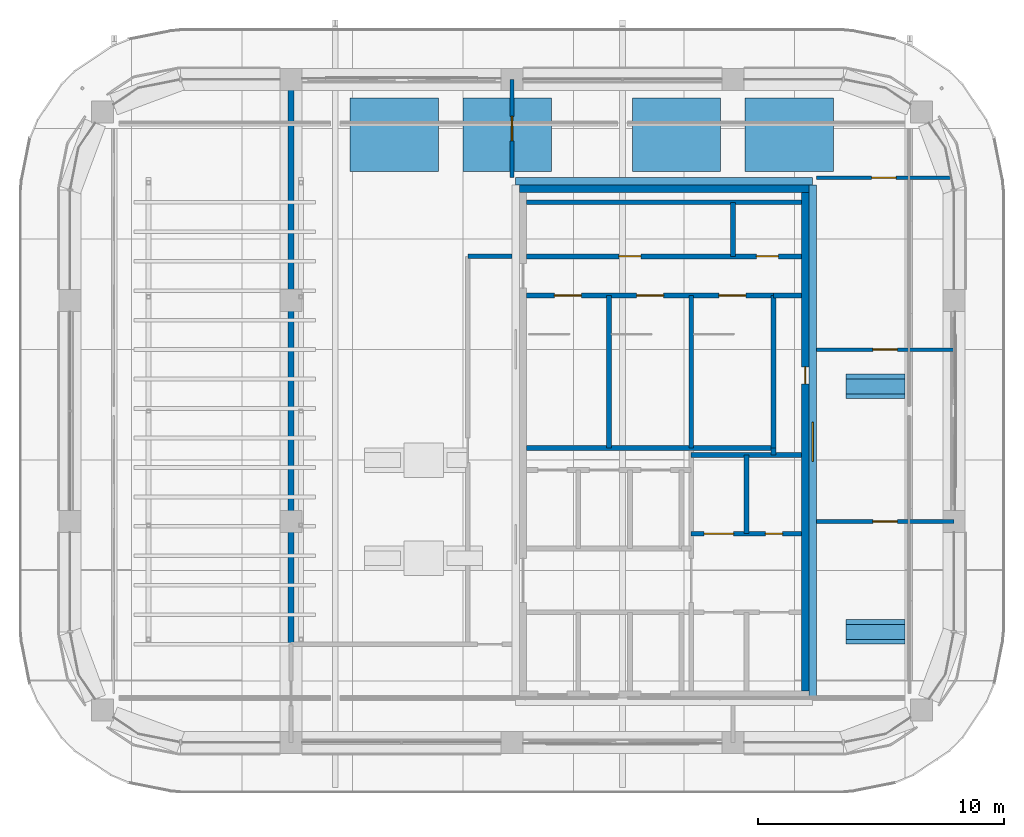
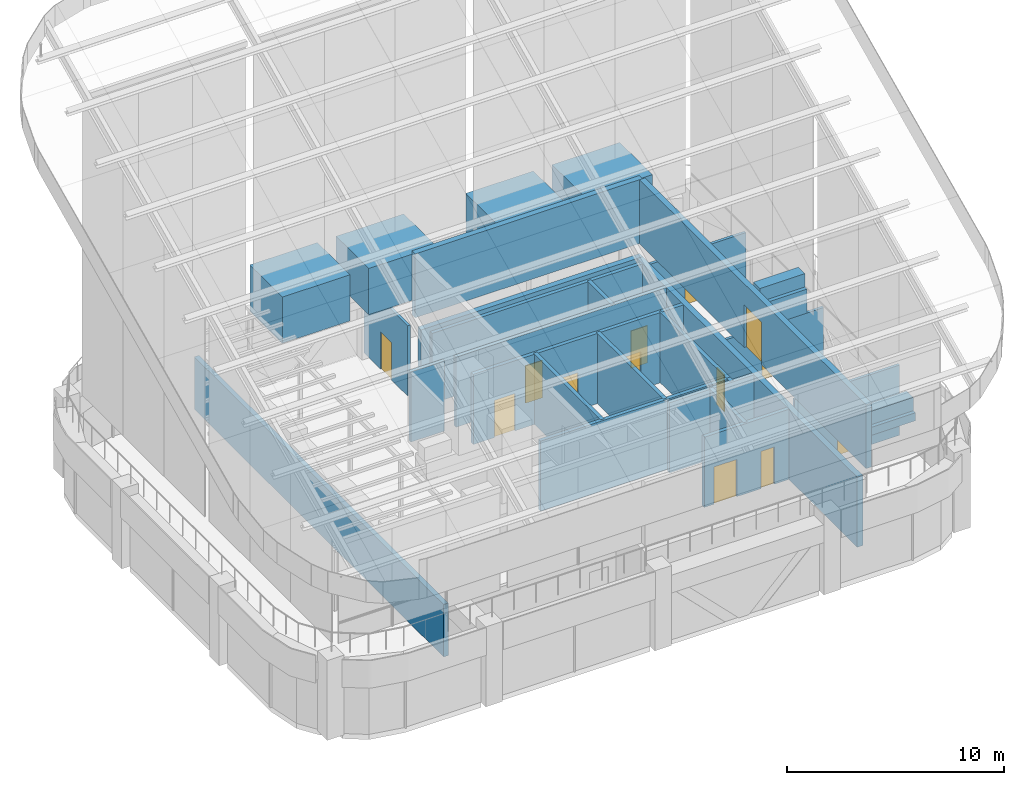
# One storey, part 27 of 31: 31 walls, 13 doors, 13 openings.
"""IFC4 building model written with IfcOpenShell, lengths in metres."""

from ifc_helpers import new_model, si_unit, direction, frame, frame_2d, origin, place, context, subcontext, project, spatial, rectangle, extrude, material, layer, layer_set, type_object, element, fill, save


model = new_model("IFC4")

# Units and contexts
model_context = context("Model", 3, precision=1e-05, world=origin(), true_north=direction((0.0, 1.0)))
body_context = subcontext(model_context, "Body", "Model", "MODEL_VIEW")
ifc_project = project(units=[si_unit("LENGTHUNIT", "METRE"), si_unit("AREAUNIT", "SQUARE_METRE"), si_unit("VOLUMEUNIT", "CUBIC_METRE"), si_unit("PLANEANGLEUNIT", "RADIAN"), si_unit("MASSUNIT", "GRAM", prefix="KILO")], contexts=[model_context])

# Site, building, storey
site_placement = place(None, origin())
site = spatial("IfcSite", under=ifc_project, at=site_placement, CompositionType="ELEMENT")
building_placement = place(site_placement, origin())
building = spatial("IfcBuilding", under=site, at=building_placement, Name="Tessera Arch", CompositionType="ELEMENT")
storey_placement = place(building_placement, frame((0.0, 0.0, 320.699951171875)))
storey = spatial("IfcBuildingStorey", under=building, at=storey_placement, Name="L77", CompositionType="ELEMENT", Elevation=320.699951171875)

# Wall
ifc_material_1 = material(Name="Gypsum board on steel stud", Category="steel")
ifc_layer_1 = layer(ifc_material_1, 0.125)
ifc_layer_set_1 = layer_set([ifc_layer_1], Name="Core partition 125 EI 60")
wall_type_1 = type_object("IfcWallType", Name="Core partition 125 EI 60", PredefinedType="PARTITIONING", material=ifc_layer_set_1)
wall_1_placement = place(storey_placement, frame((45.0, 46.800048828125, 0.0), z_axis=(0.0, 0.0, 1.0), x_axis=(0.0, 1.0, 0.0)))
element("IfcWall", 1, at=wall_1_placement, inside=storey, type_object=wall_type_1, Name="L77 C1 partition wall 10", PredefinedType="PARTITIONING", context=body_context, shape_type="SweptSolid", body=[
    extrude(rectangle(XDim=2.199951171875, YDim=0.199951171875, at=frame_2d((1.10009765625, 0.0))), origin(), (0.0, 0.0, 1.0), 3.949951171875),
])

# Wall, openings, doors
wall_2_placement = place(storey_placement, frame((36.60009765625, 46.800048828125, 0.0), z_axis=(0.0, 0.0, 1.0), x_axis=(1.0, 0.0, 0.0)))
wall_2 = element("IfcWall", 2, at=wall_2_placement, inside=storey, type_object=wall_type_1, Name="L77 C1 partition wall 24", PredefinedType="PARTITIONING", context=body_context, shape_type="SweptSolid", body=[
    extrude(rectangle(XDim=11.199951171875, YDim=0.199951171875, at=frame_2d((5.60009765625, 0.0))), origin(), (0.0, 0.0, 1.0), 3.949951171875),
])
opening_1_placement = place(wall_2_placement, frame((3.75, 0.0, 0.0)))
opening_1 = element("IfcOpeningElement", 3, at=opening_1_placement, cuts=wall_2, Name="Opening L77-C18", PredefinedType="OPENING", context=body_context, shape_type="SweptSolid", body=[
    extrude(rectangle(XDim=0.89990234375, YDim=2.10009765625, at=frame_2d((0.449951171875, 1.050048828125))), frame((0.0, 0.10986328125, 0.0), z_axis=(0.0, -1.0, 0.0), x_axis=(1.0, 0.0, 0.0)), (0.0, 0.0, 1.0), 0.219970703125),
])
opening_2_placement = place(wall_2_placement, frame((9.35009765625, 0.0, 0.0)))
opening_2 = element("IfcOpeningElement", 4, at=opening_2_placement, cuts=wall_2, Name="Opening L77-C19", PredefinedType="OPENING", context=body_context, shape_type="SweptSolid", body=[
    extrude(rectangle(XDim=0.89990234375, YDim=2.10009765625, at=frame_2d((0.449951171875, 1.050048828125))), frame((0.0, 0.10986328125, 0.0), z_axis=(0.0, -1.0, 0.0), x_axis=(1.0, 0.0, 0.0)), (0.0, 0.0, 1.0), 0.219970703125),
])
ifc_material_2 = material(Name="Steel door leaf", Category="steel")
door_type_1 = type_object("IfcDoorType", Name="Store door FD30S 900 x 2100", OperationType="SINGLE_SWING_LEFT", PredefinedType="DOOR", material=ifc_material_2)
door_1_placement = place(opening_1_placement, origin())
door_1 = element("IfcDoor", 5, at=door_1_placement, inside=storey, type_object=door_type_1, Name="L77 C1 door 18 C18 type D09", OperationType="SINGLE_SWING_LEFT", OverallHeight=2.10009765625, OverallWidth=0.89990234375, PredefinedType="DOOR", context=body_context, shape_type="SweptSolid", body=[
    extrude(rectangle(XDim=0.89990234375, YDim=2.10009765625, at=frame_2d((0.449951171875, 1.050048828125))), frame((0.0, 0.02490234375, 0.0), z_axis=(0.0, -1.0, 0.0), x_axis=(1.0, 0.0, 0.0)), (0.0, 0.0, 1.0), 0.050048828125),
])
fill(opening_1, door_1)
door_2_placement = place(opening_2_placement, origin())
door_2 = element("IfcDoor", 6, at=door_2_placement, inside=storey, type_object=door_type_1, Name="L77 C1 door 19 C19 type D09", OperationType="SINGLE_SWING_RIGHT", OverallHeight=2.10009765625, OverallWidth=0.89990234375, PredefinedType="DOOR", context=body_context, shape_type="SweptSolid", body=[
    extrude(rectangle(XDim=0.89990234375, YDim=2.10009765625, at=frame_2d((0.449951171875, 1.050048828125))), frame((0.0, 0.02490234375, 0.0), z_axis=(0.0, -1.0, 0.0), x_axis=(1.0, 0.0, 0.0)), (0.0, 0.0, 1.0), 0.050048828125),
])
fill(opening_2, door_2)

# Walls
wall_3_placement = place(storey_placement, frame((36.60009765625, 49.0, 0.0), z_axis=(0.0, 0.0, 1.0), x_axis=(1.0, 0.0, 0.0)))
element("IfcWall", 7, at=wall_3_placement, inside=storey, type_object=wall_type_1, Name="L77 C1 partition wall 25", PredefinedType="PARTITIONING", context=body_context, shape_type="SweptSolid", body=[
    extrude(rectangle(XDim=11.199951171875, YDim=0.199951171875, at=frame_2d((5.60009765625, 0.0))), origin(), (0.0, 0.0, 1.0), 3.949951171875),
])
ifc_material_3 = material(Name="Concrete C50/60", Category="concrete")
ifc_layer_2 = layer(ifc_material_3, 0.300048828125)
ifc_layer_set_2 = layer_set([ifc_layer_2], Name="Core shell wall 300 C50-60")
wall_type_2 = type_object("IfcWallType", Name="Core shell wall 300 C50-60", PredefinedType="SHEAR", material=ifc_layer_set_2)
wall_4_placement = place(storey_placement, frame((36.300048828125, 49.550048828125, 0.0), z_axis=(0.0, 0.0, 1.0), x_axis=(1.0, 0.0, 0.0)))
element("IfcWall", 8, at=wall_4_placement, inside=storey, type_object=wall_type_2, Name="L77 C1 core wall N", PredefinedType="SHEAR", context=body_context, shape_type="SweptSolid", body=[
    extrude(rectangle(XDim=11.800048828125, YDim=0.300048828125, at=frame_2d((5.89990234375, 0.0))), origin(), (0.0, 0.0, 1.0), 3.949951171875),
])

# Wall, opening, door
wall_5_placement = place(storey_placement, frame((47.949951171875, 29.10009765625, 0.0), z_axis=(0.0, 0.0, 1.0), x_axis=(0.0, 1.0, 0.0)))
wall_5 = element("IfcWall", 9, at=wall_5_placement, inside=storey, type_object=wall_type_2, Name="L77 C1 core wall E", PredefinedType="SHEAR", context=body_context, shape_type="SweptSolid", body=[
    extrude(rectangle(XDim=20.2998046875, YDim=0.300048828125, at=frame_2d((10.14990234375, 0.0))), origin(), (0.0, 0.0, 1.0), 3.949951171875),
])
opening_3_placement = place(wall_5_placement, frame((12.5, 0.0, 0.0)))
opening_3 = element("IfcOpeningElement", 10, at=opening_3_placement, cuts=wall_5, Name="Opening L77-C14", PredefinedType="OPENING", context=body_context, shape_type="SweptSolid", body=[
    extrude(rectangle(XDim=0.699951171875, YDim=2.10009765625, at=frame_2d((0.35009765625, 1.050048828125))), frame((0.0, 0.159912109375, 0.0), z_axis=(0.0, -1.0, 0.0), x_axis=(1.0, 0.0, 0.0)), (0.0, 0.0, 1.0), 0.320068359375),
])
ifc_material_4 = material(Name="Steel door leaf", Category="steel")
door_type_2 = type_object("IfcDoorType", Name="Service shaft door FD60 700 x 2100", OperationType="SINGLE_SWING_LEFT", PredefinedType="DOOR", material=ifc_material_4)
door_3_placement = place(opening_3_placement, origin())
door_3 = element("IfcDoor", 11, at=door_3_placement, inside=storey, type_object=door_type_2, Name="L77 C1 door 14 C14 type D07", OperationType="SINGLE_SWING_RIGHT", OverallHeight=2.10009765625, OverallWidth=0.699951171875, PredefinedType="DOOR", context=body_context, shape_type="SweptSolid", body=[
    extrude(rectangle(XDim=0.699951171875, YDim=2.10009765625, at=frame_2d((0.35009765625, 1.050048828125))), frame((0.0, 0.02490234375, 0.0), z_axis=(0.0, -1.0, 0.0), x_axis=(1.0, 0.0, 0.0)), (0.0, 0.0, 1.0), 0.050048828125),
])
fill(opening_3, door_3)

# Wall
ifc_material_5 = material(Name="Gypsum board on deep steel stud with mineral wool", Category="steel")
ifc_layer_3 = layer(ifc_material_5, 0.175048828125)
ifc_layer_set_3 = layer_set([ifc_layer_3], Name="Corridor wall 175 EI 60")
wall_type_3 = type_object("IfcWallType", Name="Corridor wall 175 EI 60", PredefinedType="PARTITIONING", material=ifc_layer_set_3)
wall_6_placement = place(storey_placement, frame((34.199951171875, 46.800048828125, 0.0), z_axis=(0.0, 0.0, 1.0), x_axis=(1.0, 0.0, 0.0)))
element("IfcWall", 12, at=wall_6_placement, inside=storey, type_object=wall_type_3, Name="L77 partition 2", PredefinedType="PARTITIONING", context=body_context, shape_type="SweptSolid", body=[
    extrude(rectangle(XDim=1.800048828125, YDim=0.175048828125, at=frame_2d((0.89990234375, 0.0))), origin(), (0.0, 0.0, 1.0), 3.949951171875),
])

# Wall, opening, door
ifc_material_6 = material(Name="Gypsum board on steel stud", Category="steel")
ifc_layer_4 = layer(ifc_material_6, 0.14990234375)
ifc_layer_set_4 = layer_set([ifc_layer_4], Name="Partition 150 EI 30")
wall_type_4 = type_object("IfcWallType", Name="Partition 150 EI 30", PredefinedType="PARTITIONING", material=ifc_layer_set_4)
wall_7_placement = place(storey_placement, frame((48.39990234375, 36.0, 0.0), z_axis=(0.0, 0.0, 1.0), x_axis=(1.0, 0.0, 0.0)))
wall_7 = element("IfcWall", 13, at=wall_7_placement, inside=storey, type_object=wall_type_4, Name="L77 partition 6", PredefinedType="PARTITIONING", context=body_context, shape_type="SweptSolid", body=[
    extrude(rectangle(XDim=5.60009765625, YDim=0.14990234375, at=frame_2d((2.800048828125, 0.0))), origin(), (0.0, 0.0, 1.0), 3.949951171875),
])
opening_4_placement = place(wall_7_placement, frame((2.300048828125, 0.0, 0.0)))
opening_4 = element("IfcOpeningElement", 14, at=opening_4_placement, cuts=wall_7, Name="Opening L77-D006", PredefinedType="OPENING", context=body_context, shape_type="SweptSolid", body=[
    extrude(rectangle(XDim=1.0, YDim=2.10009765625, at=frame_2d((0.5, 1.050048828125))), frame((0.0, 0.0849609375, 0.0), z_axis=(0.0, -1.0, 0.0), x_axis=(1.0, 0.0, 0.0)), (0.0, 0.0, 1.0), 0.169921875),
])
ifc_material_7 = material(Name="Fire-rated door leaf")
door_type_3 = type_object("IfcDoorType", Name="Entrance door FD30S 1000 x 2100", OperationType="SINGLE_SWING_LEFT", PredefinedType="DOOR", material=ifc_material_7)
door_4_placement = place(opening_4_placement, origin())
door_4 = element("IfcDoor", 15, at=door_4_placement, inside=storey, type_object=door_type_3, Name="L77 door D006 type D03", OperationType="SINGLE_SWING_LEFT", OverallHeight=2.10009765625, OverallWidth=1.0, PredefinedType="DOOR", context=body_context, shape_type="SweptSolid", body=[
    extrude(rectangle(XDim=1.0, YDim=2.10009765625, at=frame_2d((0.5, 1.050048828125))), frame((0.0, 0.02490234375, 0.0), z_axis=(0.0, -1.0, 0.0), x_axis=(1.0, 0.0, 0.0)), (0.0, 0.0, 1.0), 0.050048828125),
])
fill(opening_4, door_4)

wall_8_placement = place(storey_placement, frame((48.39990234375, 43.0, 0.0), z_axis=(0.0, 0.0, 1.0), x_axis=(1.0, 0.0, 0.0)))
wall_8 = element("IfcWall", 16, at=wall_8_placement, inside=storey, type_object=wall_type_4, Name="L77 partition 7", PredefinedType="PARTITIONING", context=body_context, shape_type="SweptSolid", body=[
    extrude(rectangle(XDim=5.60009765625, YDim=0.14990234375, at=frame_2d((2.800048828125, 0.0))), origin(), (0.0, 0.0, 1.0), 2.949951171875),
])
opening_5_placement = place(wall_8_placement, frame((2.300048828125, 0.0, 0.0)))
opening_5 = element("IfcOpeningElement", 17, at=opening_5_placement, cuts=wall_8, Name="Opening L77-D005", PredefinedType="OPENING", context=body_context, shape_type="SweptSolid", body=[
    extrude(rectangle(XDim=1.0, YDim=2.10009765625, at=frame_2d((0.5, 1.050048828125))), frame((0.0, 0.0849609375, 0.0), z_axis=(0.0, -1.0, 0.0), x_axis=(1.0, 0.0, 0.0)), (0.0, 0.0, 1.0), 0.169921875),
])
door_5_placement = place(opening_5_placement, origin())
door_5 = element("IfcDoor", 18, at=door_5_placement, inside=storey, type_object=door_type_3, Name="L77 door D005 type D03", OperationType="SINGLE_SWING_LEFT", OverallHeight=2.10009765625, OverallWidth=1.0, PredefinedType="DOOR", context=body_context, shape_type="SweptSolid", body=[
    extrude(rectangle(XDim=1.0, YDim=2.10009765625, at=frame_2d((0.5, 1.050048828125))), frame((0.0, 0.02490234375, 0.0), z_axis=(0.0, -1.0, 0.0), x_axis=(1.0, 0.0, 0.0)), (0.0, 0.0, 1.0), 0.050048828125),
])
fill(opening_5, door_5)

wall_9_placement = place(storey_placement, frame((48.39990234375, 50.0, 0.0), z_axis=(0.0, 0.0, 1.0), x_axis=(1.0, 0.0, 0.0)))
wall_9 = element("IfcWall", 19, at=wall_9_placement, inside=storey, type_object=wall_type_4, Name="L77 partition 8", PredefinedType="PARTITIONING", context=body_context, shape_type="SweptSolid", body=[
    extrude(rectangle(XDim=5.50048828125, YDim=0.14990234375, at=frame_2d((2.750244140625, 0.0))), origin(), (0.0, 0.0, 1.0), 2.949951171875),
])
opening_6_placement = place(wall_9_placement, frame((2.250244140625, 0.0, 0.0)))
opening_6 = element("IfcOpeningElement", 20, at=opening_6_placement, cuts=wall_9, Name="Opening L77-D004", PredefinedType="OPENING", context=body_context, shape_type="SweptSolid", body=[
    extrude(rectangle(XDim=1.0, YDim=2.10009765625, at=frame_2d((0.5, 1.050048828125))), frame((0.0, 0.0849609375, 0.0), z_axis=(0.0, -1.0, 0.0), x_axis=(1.0, 0.0, 0.0)), (0.0, 0.0, 1.0), 0.169921875),
])
door_6_placement = place(opening_6_placement, origin())
door_6 = element("IfcDoor", 21, at=door_6_placement, inside=storey, type_object=door_type_3, Name="L77 door D004 type D03", OperationType="SINGLE_SWING_LEFT", OverallHeight=2.10009765625, OverallWidth=1.0, PredefinedType="DOOR", context=body_context, shape_type="SweptSolid", body=[
    extrude(rectangle(XDim=1.0, YDim=2.10009765625, at=frame_2d((0.5, 1.050048828125))), frame((0.0, 0.02490234375, 0.0), z_axis=(0.0, -1.0, 0.0), x_axis=(1.0, 0.0, 0.0)), (0.0, 0.0, 1.0), 0.050048828125),
])
fill(opening_6, door_6)

wall_10_placement = place(storey_placement, frame((36.0, 50.0, 0.0), z_axis=(0.0, 0.0, 1.0), x_axis=(0.0, 1.0, 0.0)))
wall_10 = element("IfcWall", 22, at=wall_10_placement, inside=storey, type_object=wall_type_4, Name="L77 partition 9", PredefinedType="PARTITIONING", context=body_context, shape_type="SweptSolid", body=[
    extrude(rectangle(XDim=4.0, YDim=0.14990234375, at=frame_2d((2.0, 0.0))), origin(), (0.0, 0.0, 1.0), 3.949951171875),
])
opening_7_placement = place(wall_10_placement, frame((1.5, 0.0, 0.0)))
opening_7 = element("IfcOpeningElement", 23, at=opening_7_placement, cuts=wall_10, Name="Opening L77-D003", PredefinedType="OPENING", context=body_context, shape_type="SweptSolid", body=[
    extrude(rectangle(XDim=1.0, YDim=2.10009765625, at=frame_2d((0.5, 1.050048828125))), frame((0.0, 0.0849609375, 0.0), z_axis=(0.0, -1.0, 0.0), x_axis=(1.0, 0.0, 0.0)), (0.0, 0.0, 1.0), 0.169921875),
])
door_7_placement = place(opening_7_placement, origin())
door_7 = element("IfcDoor", 24, at=door_7_placement, inside=storey, type_object=door_type_3, Name="L77 door D003 type D03", OperationType="SINGLE_SWING_LEFT", OverallHeight=2.10009765625, OverallWidth=1.0, PredefinedType="DOOR", context=body_context, shape_type="SweptSolid", body=[
    extrude(rectangle(XDim=1.0, YDim=2.10009765625, at=frame_2d((0.5, 1.050048828125))), frame((0.0, 0.02490234375, 0.0), z_axis=(0.0, -1.0, 0.0), x_axis=(1.0, 0.0, 0.0)), (0.0, 0.0, 1.0), 0.050048828125),
])
fill(opening_7, door_7)

# Walls
ifc_material_8 = material(Name="Double gypsum board on twin steel stud with acoustic mineral wool", Category="steel")
ifc_layer_5 = layer(ifc_material_8, 0.25)
ifc_layer_set_5 = layer_set([ifc_layer_5], Name="Party wall 250 EI 60")
wall_type_5 = type_object("IfcWallType", Name="Party wall 250 EI 60", PredefinedType="PARTITIONING", material=ifc_layer_set_5)
wall_11_placement = place(storey_placement, frame((27.0, 31.0, 0.0), z_axis=(0.0, 0.0, 1.0), x_axis=(0.0, 1.0, 0.0)))
element("IfcWall", 25, at=wall_11_placement, inside=storey, type_object=wall_type_5, Name="L77 partition 10", PredefinedType="PARTITIONING", context=body_context, shape_type="SweptSolid", body=[
    extrude(rectangle(XDim=23.0, YDim=0.25, at=frame_2d((11.5, 0.0))), origin(), (0.0, 0.0, 1.0), 2.949951171875),
])
ifc_material_9 = material(Name="Precast concrete C40/50", Category="concrete")
ifc_layer_6 = layer(ifc_material_9, 1.0)
ifc_layer_set_6 = layer_set([ifc_layer_6], Name="Planter bed 1000 wide")
wall_type_6 = type_object("IfcWallType", Name="Planter bed 1000 wide", PredefinedType="SOLIDWALL", material=ifc_layer_set_6)
wall_12_placement = place(storey_placement, frame((49.60009765625, 31.5, 4.5), z_axis=(0.0, 0.0, 1.0), x_axis=(1.0, 0.0, 0.0)))
element("IfcWall", 26, at=wall_12_placement, inside=storey, type_object=wall_type_6, Name="PLANTER bed 3-1", PredefinedType="SOLIDWALL", context=body_context, shape_type="SweptSolid", body=[
    extrude(rectangle(XDim=2.39990234375, YDim=1.0, at=frame_2d((1.199951171875, 0.0))), origin(), (0.0, 0.0, 1.0), 0.449951171875),
])
wall_13_placement = place(storey_placement, frame((49.60009765625, 41.5, 4.5), z_axis=(0.0, 0.0, 1.0), x_axis=(1.0, 0.0, 0.0)))
element("IfcWall", 27, at=wall_13_placement, inside=storey, type_object=wall_type_6, Name="PLANTER bed 4-1", PredefinedType="SOLIDWALL", context=body_context, shape_type="SweptSolid", body=[
    extrude(rectangle(XDim=2.39990234375, YDim=1.0, at=frame_2d((1.199951171875, 0.0))), origin(), (0.0, 0.0, 1.0), 1.35009765625),
])
ifc_material_10 = material(Name="Precast concrete C40/50", Category="concrete")
ifc_layer_7 = layer(ifc_material_10, 0.60009765625)
ifc_layer_set_7 = layer_set([ifc_layer_7], Name="Planter bed 600 wide")
wall_type_7 = type_object("IfcWallType", Name="Planter bed 600 wide", PredefinedType="SOLIDWALL", material=ifc_layer_set_7)
for number, where, z_axis, x_axis, name in (
    (28, (49.60009765625, 31.5, 4.949951171875), (0.0, 0.0, 1.0), (1.0, 0.0, 0.0), "PLANTER shrub mass on bed 3-1"),
    (29, (49.60009765625, 41.5, 5.85009765625), (0.0, 0.0, 1.0), (1.0, 0.0, 0.0), "PLANTER shrub mass on bed 4-1"),
):
    element("IfcWall", number, at=place(storey_placement, frame(where, z_axis=z_axis, x_axis=x_axis)), inside=storey, type_object=wall_type_7, Name=name, PredefinedType="SOLIDWALL", context=body_context, shape_type="SweptSolid", body=[
        extrude(rectangle(XDim=2.39990234375, YDim=0.60009765625, at=frame_2d((1.199951171875, 0.0))), origin(), (0.0, 0.0, 1.0), 0.75),
    ])
ifc_material_11 = material(Name="Concrete C60/75", Category="concrete")
ifc_layer_8 = layer(ifc_material_11, 0.300048828125)
ifc_layer_set_8 = layer_set([ifc_layer_8], Name="Roof pavilion wall")
wall_type_8 = type_object("IfcWallType", Name="Roof pavilion wall", PredefinedType="SOLIDWALL", material=ifc_layer_set_8)
wall_14_placement = place(storey_placement, frame((36.14990234375, 49.85009765625, 4.5), z_axis=(0.0, 0.0, 1.0), x_axis=(1.0, 0.0, 0.0)))
element("IfcWall", 30, at=wall_14_placement, inside=storey, type_object=wall_type_8, Name="Roof pavilion wall N", PredefinedType="SOLIDWALL", context=body_context, shape_type="SweptSolid", body=[
    extrude(rectangle(XDim=12.10009765625, YDim=0.300048828125, at=frame_2d((6.050048828125, 0.0))), origin(), (0.0, 0.0, 1.0), 3.60009765625),
])

# Wall, opening, door
wall_15_placement = place(storey_placement, frame((48.25, 28.800048828125, 4.5), z_axis=(0.0, 0.0, 1.0), x_axis=(0.0, 1.0, 0.0)))
wall_15 = element("IfcWall", 31, at=wall_15_placement, inside=storey, type_object=wall_type_8, Name="Roof pavilion wall E", PredefinedType="SOLIDWALL", context=body_context, shape_type="SweptSolid", body=[
    extrude(rectangle(XDim=20.89990234375, YDim=0.300048828125, at=frame_2d((10.449951171875, 0.0))), origin(), (0.0, 0.0, 1.0), 3.60009765625),
])
opening_8_placement = place(wall_15_placement, frame((9.64990234375, 0.0, 0.0)))
opening_8 = element("IfcOpeningElement", 32, at=opening_8_placement, cuts=wall_15, Name="Opening L77-G03", PredefinedType="OPENING", context=body_context, shape_type="SweptSolid", body=[
    extrude(rectangle(XDim=1.60009765625, YDim=2.39990234375, at=frame_2d((0.800048828125, 1.199951171875))), frame((0.0, 0.159912109375, 0.0), z_axis=(0.0, -1.0, 0.0), x_axis=(1.0, 0.0, 0.0)), (0.0, 0.0, 1.0), 0.320068359375),
])
ifc_material_12 = material(Name="Aluminium frame and clear glass", Category="aluminium")
door_type_4 = type_object("IfcDoorType", Name="Roof garden door glazed double leaf", OperationType="DOUBLE_DOOR_SINGLE_SWING", PredefinedType="DOOR", material=ifc_material_12)
door_8_placement = place(opening_8_placement, origin())
door_8 = element("IfcDoor", 33, at=door_8_placement, inside=storey, type_object=door_type_4, Name="Roof garden door GD-E1 G03", OperationType="DOUBLE_DOOR_SINGLE_SWING", OverallHeight=2.39990234375, OverallWidth=1.60009765625, PredefinedType="DOOR", context=body_context, shape_type="SweptSolid", body=[
    extrude(rectangle(XDim=1.60009765625, YDim=2.39990234375, at=frame_2d((0.800048828125, 1.199951171875))), frame((0.0, 0.02490234375, 0.0), z_axis=(0.0, -1.0, 0.0), x_axis=(1.0, 0.0, 0.0)), (0.0, 0.0, 1.0), 0.050048828125),
])
fill(opening_8, door_8)

# Walls
ifc_material_13 = material(Name="Aluminium cladding pale metal anodised", Category="aluminium")
ifc_layer_9 = layer(ifc_material_13, 3.0)
ifc_layer_set_9 = layer_set([ifc_layer_9], Name="Roof plant enclosure")
wall_type_9 = type_object("IfcWallType", Name="Roof plant enclosure", PredefinedType="SOLIDWALL", material=ifc_layer_set_9)
for number, where, z_axis, x_axis, name in (
    (34, (29.39990234375, 51.75, 5.10009765625), (0.0, 0.0, 1.0), (1.0, 0.0, 0.0), "Roof plant unit 1"),
    (35, (34.0, 51.75, 5.10009765625), (0.0, 0.0, 1.0), (1.0, 0.0, 0.0), "Roof plant unit 2"),
    (36, (40.89990234375, 51.75, 5.10009765625), (0.0, 0.0, 1.0), (1.0, 0.0, 0.0), "Roof plant unit 3"),
    (37, (45.5, 51.75, 5.10009765625), (0.0, 0.0, 1.0), (1.0, 0.0, 0.0), "Roof plant unit 4"),
):
    element("IfcWall", number, at=place(storey_placement, frame(where, z_axis=z_axis, x_axis=x_axis)), inside=storey, type_object=wall_type_9, Name=name, PredefinedType="SOLIDWALL", context=body_context, shape_type="SweptSolid", body=[
        extrude(rectangle(XDim=3.60009765625, YDim=3.0, at=frame_2d((1.800048828125, 0.0))), origin(), (0.0, 0.0, 1.0), 2.599853515625),
    ])
ifc_material_14 = material(Name="Concrete C40/50", Category="concrete")
ifc_layer_10 = layer(ifc_material_14, 0.199951171875)
ifc_layer_set_10 = layer_set([ifc_layer_10], Name="Shaft wall 200 EI 120")
wall_type_10 = type_object("IfcWallType", Name="Shaft wall 200 EI 120", PredefinedType="SOLIDWALL", material=ifc_layer_set_10)
wall_16_placement = place(storey_placement, frame((45.550048828125, 35.5, 0.0), z_axis=(0.0, 0.0, 1.0), x_axis=(0.0, 1.0, 0.0)))
element("IfcWall", 38, at=wall_16_placement, inside=storey, type_object=wall_type_10, Name="L77 C1 shaft wall 12", PredefinedType="SOLIDWALL", context=body_context, shape_type="SweptSolid", body=[
    extrude(rectangle(XDim=3.199951171875, YDim=0.199951171875, at=frame_2d((1.60009765625, 0.0))), origin(), (0.0, 0.0, 1.0), 3.949951171875),
])
wall_17_placement = place(storey_placement, frame((46.64990234375, 38.699951171875, 0.0), z_axis=(0.0, 0.0, 1.0), x_axis=(0.0, 1.0, 0.0)))
element("IfcWall", 39, at=wall_17_placement, inside=storey, type_object=wall_type_10, Name="L77 C1 shaft wall 13", PredefinedType="SOLIDWALL", context=body_context, shape_type="SweptSolid", body=[
    extrude(rectangle(XDim=0.300048828125, YDim=0.199951171875, at=frame_2d((0.14990234375, 0.0))), origin(), (0.0, 0.0, 1.0), 3.949951171875),
])

# Wall, openings, doors
wall_18_placement = place(storey_placement, frame((43.300048828125, 35.5, 0.0), z_axis=(0.0, 0.0, 1.0), x_axis=(1.0, 0.0, 0.0)))
wall_18 = element("IfcWall", 40, at=wall_18_placement, inside=storey, type_object=wall_type_10, Name="L77 C1 shaft wall 18", PredefinedType="SOLIDWALL", context=body_context, shape_type="SweptSolid", body=[
    extrude(rectangle(XDim=4.5, YDim=0.199951171875, at=frame_2d((2.25, 0.0))), origin(), (0.0, 0.0, 1.0), 3.949951171875),
])
opening_9_placement = place(wall_18_placement, frame((0.52490234375, 0.0, 0.0)))
opening_9 = element("IfcOpeningElement", 41, at=opening_9_placement, cuts=wall_18, Name="Opening L77-C09", PredefinedType="OPENING", context=body_context, shape_type="SweptSolid", body=[
    extrude(rectangle(XDim=1.199951171875, YDim=2.10009765625, at=frame_2d((0.60009765625, 1.050048828125))), frame((0.0, 0.10986328125, 0.0), z_axis=(0.0, -1.0, 0.0), x_axis=(1.0, 0.0, 0.0)), (0.0, 0.0, 1.0), 0.219970703125),
])
opening_10_placement = place(wall_18_placement, frame((3.02490234375, 0.0, 0.0)))
opening_10 = element("IfcOpeningElement", 42, at=opening_10_placement, cuts=wall_18, Name="Opening L77-C16", PredefinedType="OPENING", context=body_context, shape_type="SweptSolid", body=[
    extrude(rectangle(XDim=0.699951171875, YDim=2.10009765625, at=frame_2d((0.35009765625, 1.050048828125))), frame((0.0, 0.10986328125, 0.0), z_axis=(0.0, -1.0, 0.0), x_axis=(1.0, 0.0, 0.0)), (0.0, 0.0, 1.0), 0.219970703125),
])
door_9_placement = place(opening_10_placement, origin())
door_9 = element("IfcDoor", 43, at=door_9_placement, inside=storey, type_object=door_type_2, Name="L77 C1 door 16 C16 type D07", OperationType="SINGLE_SWING_RIGHT", OverallHeight=2.10009765625, OverallWidth=0.699951171875, PredefinedType="DOOR", context=body_context, shape_type="SweptSolid", body=[
    extrude(rectangle(XDim=0.699951171875, YDim=2.10009765625, at=frame_2d((0.35009765625, 1.050048828125))), frame((0.0, 0.02490234375, 0.0), z_axis=(0.0, -1.0, 0.0), x_axis=(1.0, 0.0, 0.0)), (0.0, 0.0, 1.0), 0.050048828125),
])
fill(opening_10, door_9)
ifc_material_15 = material(Name="Stainless steel AISI 304", Category="steel")
door_type_5 = type_object("IfcDoorType", Name="Sliding landing door 1200 x 2100", OperationType="SLIDING_TO_LEFT", PredefinedType="DOOR", material=ifc_material_15)
door_10_placement = place(opening_9_placement, origin())
door_10 = element("IfcDoor", 44, at=door_10_placement, inside=storey, type_object=door_type_5, Name="L77 SV2 lift landing door C09 type LD", OperationType="SLIDING_TO_LEFT", OverallHeight=2.10009765625, OverallWidth=1.199951171875, PredefinedType="DOOR", context=body_context, shape_type="SweptSolid", body=[
    extrude(rectangle(XDim=1.199951171875, YDim=2.10009765625, at=frame_2d((0.60009765625, 1.050048828125))), frame((0.0, 0.02490234375, 0.0), z_axis=(0.0, -1.0, 0.0), x_axis=(1.0, 0.0, 0.0)), (0.0, 0.0, 1.0), 0.050048828125),
])
fill(opening_9, door_10)

# Walls
wall_19_placement = place(storey_placement, frame((43.300048828125, 38.699951171875, 0.0), z_axis=(0.0, 0.0, 1.0), x_axis=(1.0, 0.0, 0.0)))
element("IfcWall", 45, at=wall_19_placement, inside=storey, type_object=wall_type_10, Name="L77 C1 shaft wall 20", PredefinedType="SOLIDWALL", context=body_context, shape_type="SweptSolid", body=[
    extrude(rectangle(XDim=4.5, YDim=0.199951171875, at=frame_2d((2.25, 0.0))), origin(), (0.0, 0.0, 1.0), 3.949951171875),
])
wall_20_placement = place(storey_placement, frame((46.64990234375, 45.199951171875, 0.0), z_axis=(0.0, 0.0, 1.0), x_axis=(1.0, 0.0, 0.0)))
element("IfcWall", 46, at=wall_20_placement, inside=storey, type_object=wall_type_10, Name="L77 C1 shaft wall 22", PredefinedType="SOLIDWALL", context=body_context, shape_type="SweptSolid", body=[
    extrude(rectangle(XDim=1.150146484375, YDim=0.199951171875, at=frame_2d((0.5751953125, 0.0))), origin(), (0.0, 0.0, 1.0), 3.949951171875),
])
ifc_material_16 = material(Name="Concrete C40/50", Category="concrete")
ifc_layer_11 = layer(ifc_material_16, 0.199951171875)
ifc_layer_set_11 = layer_set([ifc_layer_11], Name="Stair well wall 200 REI 180")
wall_type_11 = type_object("IfcWallType", Name="Stair well wall 200 REI 180", PredefinedType="SOLIDWALL", material=ifc_layer_set_11)
for number, where, z_axis, x_axis, name in (
    (47, (39.949951171875, 39.0, 0.0), (0.0, 0.0, 1.0), (0.0, 1.0, 0.0), "L77 C1 shaft wall 3"),
    (48, (43.300048828125, 39.0, 0.0), (0.0, 0.0, 1.0), (0.0, 1.0, 0.0), "L77 C1 shaft wall 9"),
    (49, (46.64990234375, 39.0, 0.0), (0.0, 0.0, 1.0), (0.0, 1.0, 0.0), "L77 C1 shaft wall 14"),
):
    element("IfcWall", number, at=place(storey_placement, frame(where, z_axis=z_axis, x_axis=x_axis)), inside=storey, type_object=wall_type_11, Name=name, PredefinedType="SOLIDWALL", context=body_context, shape_type="SweptSolid", body=[
        extrude(rectangle(XDim=6.199951171875, YDim=0.199951171875, at=frame_2d((3.10009765625, 0.0))), origin(), (0.0, 0.0, 1.0), 3.949951171875),
    ])
wall_21_placement = place(storey_placement, frame((36.60009765625, 39.0, 0.0), z_axis=(0.0, 0.0, 1.0), x_axis=(1.0, 0.0, 0.0)))
element("IfcWall", 50, at=wall_21_placement, inside=storey, type_object=wall_type_11, Name="L77 C1 shaft wall 21", PredefinedType="SOLIDWALL", context=body_context, shape_type="SweptSolid", body=[
    extrude(rectangle(XDim=10.0498046875, YDim=0.199951171875, at=frame_2d((5.02490234375, 0.0))), origin(), (0.0, 0.0, 1.0), 3.949951171875),
])

# Wall, openings, doors
wall_22_placement = place(storey_placement, frame((36.60009765625, 45.199951171875, 0.0), z_axis=(0.0, 0.0, 1.0), x_axis=(1.0, 0.0, 0.0)))
wall_22 = element("IfcWall", 51, at=wall_22_placement, inside=storey, type_object=wall_type_11, Name="L77 C1 shaft wall 23", PredefinedType="SOLIDWALL", context=body_context, shape_type="SweptSolid", body=[
    extrude(rectangle(XDim=10.0498046875, YDim=0.199951171875, at=frame_2d((5.02490234375, 0.0))), origin(), (0.0, 0.0, 1.0), 3.949951171875),
])
opening_11_placement = place(wall_22_placement, frame((1.125, 0.0, 0.0)))
opening_11 = element("IfcOpeningElement", 52, at=opening_11_placement, cuts=wall_22, Name="Opening L77-C11", PredefinedType="OPENING", context=body_context, shape_type="SweptSolid", body=[
    extrude(rectangle(XDim=1.10009765625, YDim=2.10009765625, at=frame_2d((0.550048828125, 1.050048828125))), frame((0.0, 0.10986328125, 0.0), z_axis=(0.0, -1.0, 0.0), x_axis=(1.0, 0.0, 0.0)), (0.0, 0.0, 1.0), 0.219970703125),
])
opening_12_placement = place(wall_22_placement, frame((4.47509765625, 0.0, 0.0)))
opening_12 = element("IfcOpeningElement", 53, at=opening_12_placement, cuts=wall_22, Name="Opening L77-C12", PredefinedType="OPENING", context=body_context, shape_type="SweptSolid", body=[
    extrude(rectangle(XDim=1.10009765625, YDim=2.10009765625, at=frame_2d((0.550048828125, 1.050048828125))), frame((0.0, 0.10986328125, 0.0), z_axis=(0.0, -1.0, 0.0), x_axis=(1.0, 0.0, 0.0)), (0.0, 0.0, 1.0), 0.219970703125),
])
opening_13_placement = place(wall_22_placement, frame((7.824951171875, 0.0, 0.0)))
opening_13 = element("IfcOpeningElement", 54, at=opening_13_placement, cuts=wall_22, Name="Opening L77-C13", PredefinedType="OPENING", context=body_context, shape_type="SweptSolid", body=[
    extrude(rectangle(XDim=1.10009765625, YDim=2.10009765625, at=frame_2d((0.550048828125, 1.050048828125))), frame((0.0, 0.10986328125, 0.0), z_axis=(0.0, -1.0, 0.0), x_axis=(1.0, 0.0, 0.0)), (0.0, 0.0, 1.0), 0.219970703125),
])
ifc_material_17 = material(Name="Steel door leaf", Category="steel")
door_type_6 = type_object("IfcDoorType", Name="Stair door FD60 1100 x 2100", OperationType="SINGLE_SWING_LEFT", PredefinedType="DOOR", material=ifc_material_17)
door_11_placement = place(opening_11_placement, origin())
door_11 = element("IfcDoor", 55, at=door_11_placement, inside=storey, type_object=door_type_6, Name="L77 C1 door 11 C11 type D05", OperationType="SINGLE_SWING_LEFT", OverallHeight=2.10009765625, OverallWidth=1.10009765625, PredefinedType="DOOR", context=body_context, shape_type="SweptSolid", body=[
    extrude(rectangle(XDim=1.10009765625, YDim=2.10009765625, at=frame_2d((0.550048828125, 1.050048828125))), frame((0.0, 0.02490234375, 0.0), z_axis=(0.0, -1.0, 0.0), x_axis=(1.0, 0.0, 0.0)), (0.0, 0.0, 1.0), 0.050048828125),
])
fill(opening_11, door_11)
door_12_placement = place(opening_12_placement, origin())
door_12 = element("IfcDoor", 56, at=door_12_placement, inside=storey, type_object=door_type_6, Name="L77 C1 door 12 C12 type D05", OperationType="SINGLE_SWING_RIGHT", OverallHeight=2.10009765625, OverallWidth=1.10009765625, PredefinedType="DOOR", context=body_context, shape_type="SweptSolid", body=[
    extrude(rectangle(XDim=1.10009765625, YDim=2.10009765625, at=frame_2d((0.550048828125, 1.050048828125))), frame((0.0, 0.02490234375, 0.0), z_axis=(0.0, -1.0, 0.0), x_axis=(1.0, 0.0, 0.0)), (0.0, 0.0, 1.0), 0.050048828125),
])
fill(opening_12, door_12)
door_13_placement = place(opening_13_placement, origin())
door_13 = element("IfcDoor", 57, at=door_13_placement, inside=storey, type_object=door_type_6, Name="L77 C1 door 13 C13 type D05", OperationType="SINGLE_SWING_RIGHT", OverallHeight=2.10009765625, OverallWidth=1.10009765625, PredefinedType="DOOR", context=body_context, shape_type="SweptSolid", body=[
    extrude(rectangle(XDim=1.10009765625, YDim=2.10009765625, at=frame_2d((0.550048828125, 1.050048828125))), frame((0.0, 0.02490234375, 0.0), z_axis=(0.0, -1.0, 0.0), x_axis=(1.0, 0.0, 0.0)), (0.0, 0.0, 1.0), 0.050048828125),
])
fill(opening_13, door_13)

save(model, "model.ifc")
